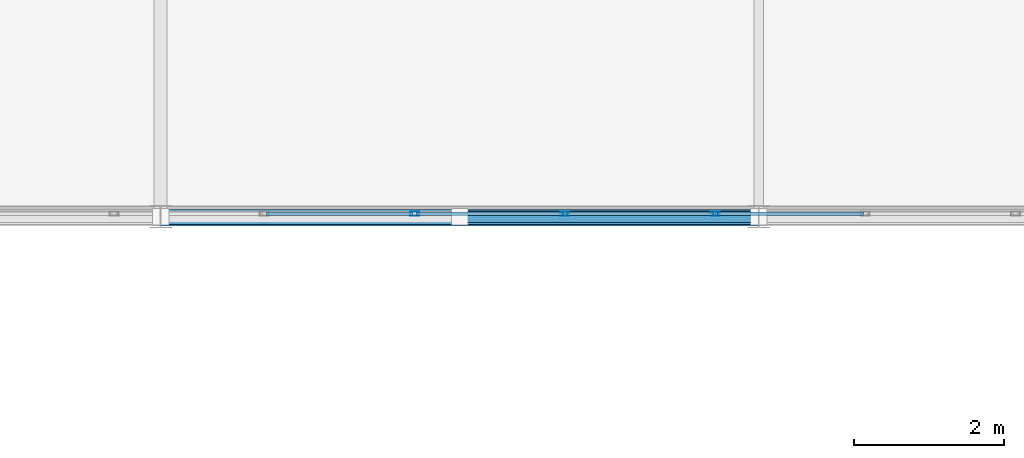
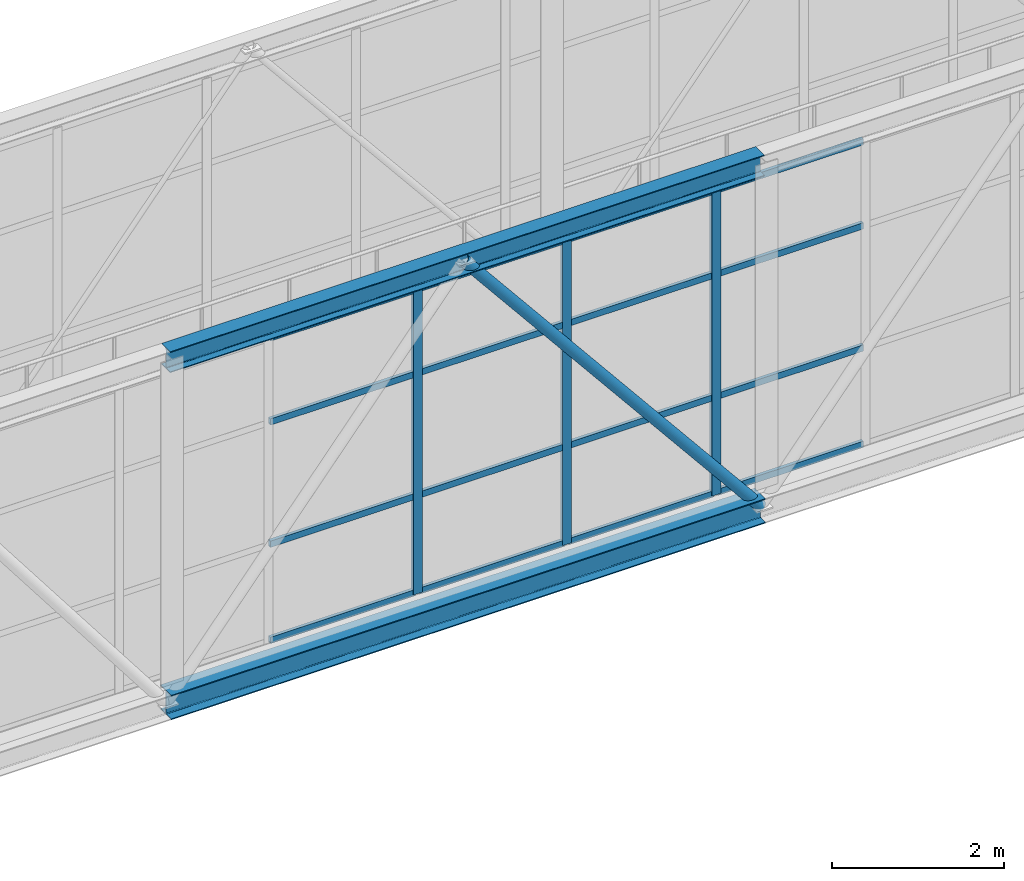
# One storey, part 87 of 248: 22 members, 1 element without a shape of its own.
"""IFC4 building model written with IfcOpenShell, lengths in metres."""

from ifc_helpers import new_model, si_unit, direction, frame, origin, origin_2d, place, context, subcontext, project, spatial, hollow_rectangle, hollow_circle, i_section, extrude, material, layer, layer_set, material_profile, profile_set, type_object, element, aggregate, save


model = new_model("IFC4")

# Units and contexts
model_context = context("Model", 3, precision=1e-05, world=origin(), true_north=direction((0.0, 1.0)))
body_context = subcontext(model_context, "Body", "Model", "MODEL_VIEW")
ifc_project = project(units=[si_unit("LENGTHUNIT", "METRE"), si_unit("AREAUNIT", "SQUARE_METRE"), si_unit("VOLUMEUNIT", "CUBIC_METRE"), si_unit("PLANEANGLEUNIT", "RADIAN"), si_unit("MASSUNIT", "GRAM", prefix="KILO")], contexts=[model_context])

# Site, building, storey
site_placement = place(None, origin())
site = spatial("IfcSite", under=ifc_project, at=site_placement, CompositionType="ELEMENT")
building_placement = place(site_placement, origin())
building = spatial("IfcBuilding", under=site, at=building_placement, Name="Canggui Botanical Conservatory", CompositionType="ELEMENT")
storey_placement = place(building_placement, frame((0.0, 0.0, 5.39990234375)))
storey = spatial("IfcBuildingStorey", under=building, at=storey_placement, Name="L02", CompositionType="ELEMENT", Elevation=5.39990234375)

# Curtain wall, members
ifc_material_1 = material(Name="Thermally Broken Aluminium", Category="aluminium")
ifc_layer = layer(ifc_material_1, 0.1201171875, Name="Thermally Broken Aluminium", Category="aluminium")
ifc_layer_set = layer_set([ifc_layer], Name="Thermally Broken Aluminium")
curtain_wall_type = type_object("IfcCurtainWallType", Name="CW-STICK-B", PredefinedType="USERDEFINED", material=ifc_layer_set)
curtain_wall_placement = place(storey_placement, origin())
curtain_wall = element("IfcCurtainWall", 1, at=curtain_wall_placement, inside=storey, type_object=curtain_wall_type, Name="Facade Curtain Wall CW-SB-01-1", ObjectType="STICK GLAZED WALL", PredefinedType="USERDEFINED")
ifc_material_profile_1 = material_profile(ifc_material_1, hollow_rectangle(XDim=0.054931640625, YDim=0.1201171875, WallThickness=0.0029296875, at=origin_2d()), Name="CWM 55x120x3")
ifc_profile_set_1 = profile_set([ifc_material_profile_1], Name="Thermally Broken Aluminium")
member_type_1 = type_object("IfcMemberType", Name="CWM-05", PredefinedType="MULLION", material=ifc_profile_set_1)
member_1_placement = place(storey_placement, frame((76.8984375, 26.0400390625, 0.0), z_axis=(0.0, 0.0, 1.0), x_axis=(0.0, 1.0, 0.0)))
member_1 = element("IfcMember", 2, at=member_1_placement, type_object=member_type_1, Name="CW-05 mullion 6", PredefinedType="MULLION", context=body_context, shape_type="SweptSolid", body=[
    extrude(hollow_rectangle(XDim=0.054931640625, YDim=0.1201171875, WallThickness=0.0029296875, at=origin_2d()), origin(), (0.0, 0.0, 1.0), 4.35009765625),
])
member_2_placement = place(storey_placement, frame((78.907958984375, 26.0400390625, 0.0), z_axis=(0.0, 0.0, 1.0), x_axis=(0.0, 1.0, 0.0)))
member_2 = element("IfcMember", 3, at=member_2_placement, type_object=member_type_1, Name="CW-05 mullion 7", PredefinedType="MULLION", context=body_context, shape_type="SweptSolid", body=[
    extrude(hollow_rectangle(XDim=0.054931640625, YDim=0.1201171875, WallThickness=0.0029296875, at=origin_2d()), origin(), (0.0, 0.0, 1.0), 4.35009765625),
])
member_3_placement = place(storey_placement, frame((80.917724609375, 26.0400390625, 0.0), z_axis=(0.0, 0.0, 1.0), x_axis=(0.0, 1.0, 0.0)))
member_3 = element("IfcMember", 4, at=member_3_placement, type_object=member_type_1, Name="CW-05 mullion 8", PredefinedType="MULLION", context=body_context, shape_type="SweptSolid", body=[
    extrude(hollow_rectangle(XDim=0.054931640625, YDim=0.1201171875, WallThickness=0.0029296875, at=origin_2d()), origin(), (0.0, 0.0, 1.0), 4.35009765625),
])
ifc_material_profile_2 = material_profile(ifc_material_1, hollow_rectangle(XDim=0.044921875, YDim=0.090087890625, WallThickness=0.0029296875, at=origin_2d()), Name="CWT 45x90x3")
ifc_profile_set_2 = profile_set([ifc_material_profile_2], Name="Thermally Broken Aluminium")
member_type_2 = type_object("IfcMemberType", Name="CWT-05", PredefinedType="USERDEFINED", material=ifc_profile_set_2)
member_4_placement = place(storey_placement, frame((74.916259765625, 26.0400390625, 0.022705078125), z_axis=(1.0, 0.0, 0.0), x_axis=(0.0, 1.0, 0.0)))
member_4 = element("IfcMember", 5, at=member_4_placement, type_object=member_type_2, Name="CW-05 transom 5.1", ObjectType="TRANSOM", PredefinedType="USERDEFINED", context=body_context, shape_type="SweptSolid", body=[
    extrude(hollow_rectangle(XDim=0.044921875, YDim=0.090087890625, WallThickness=0.0029296875, at=origin_2d()), origin(), (0.0, 0.0, 1.0), 1.95458984375),
])
member_5_placement = place(storey_placement, frame((74.916259765625, 26.0400390625, 1.39208984375), z_axis=(1.0, 0.0, 0.0), x_axis=(0.0, 1.0, 0.0)))
member_5 = element("IfcMember", 6, at=member_5_placement, type_object=member_type_2, Name="CW-05 transom 5.2", ObjectType="TRANSOM", PredefinedType="USERDEFINED", context=body_context, shape_type="SweptSolid", body=[
    extrude(hollow_rectangle(XDim=0.044921875, YDim=0.090087890625, WallThickness=0.0029296875, at=origin_2d()), origin(), (0.0, 0.0, 1.0), 1.95458984375),
])
member_6_placement = place(storey_placement, frame((74.916259765625, 26.0400390625, 3.132080078125), z_axis=(1.0, 0.0, 0.0), x_axis=(0.0, 1.0, 0.0)))
member_6 = element("IfcMember", 7, at=member_6_placement, type_object=member_type_2, Name="CW-05 transom 5.3", ObjectType="TRANSOM", PredefinedType="USERDEFINED", context=body_context, shape_type="SweptSolid", body=[
    extrude(hollow_rectangle(XDim=0.044921875, YDim=0.090087890625, WallThickness=0.0029296875, at=origin_2d()), origin(), (0.0, 0.0, 1.0), 1.95458984375),
])
member_7_placement = place(storey_placement, frame((74.916259765625, 26.0400390625, 4.32763671875), z_axis=(1.0, 0.0, 0.0), x_axis=(0.0, 1.0, 0.0)))
member_7 = element("IfcMember", 8, at=member_7_placement, type_object=member_type_2, Name="CW-05 transom 5.4", ObjectType="TRANSOM", PredefinedType="USERDEFINED", context=body_context, shape_type="SweptSolid", body=[
    extrude(hollow_rectangle(XDim=0.044921875, YDim=0.090087890625, WallThickness=0.0029296875, at=origin_2d()), origin(), (0.0, 0.0, 1.0), 1.95458984375),
])
member_8_placement = place(storey_placement, frame((76.92578125, 26.0400390625, 0.022705078125), z_axis=(1.0, 0.0, 0.0), x_axis=(0.0, 1.0, 0.0)))
member_8 = element("IfcMember", 9, at=member_8_placement, type_object=member_type_2, Name="CW-05 transom 6.1", ObjectType="TRANSOM", PredefinedType="USERDEFINED", context=body_context, shape_type="SweptSolid", body=[
    extrude(hollow_rectangle(XDim=0.044921875, YDim=0.090087890625, WallThickness=0.0029296875, at=origin_2d()), origin(), (0.0, 0.0, 1.0), 1.954833984375),
])
member_9_placement = place(storey_placement, frame((76.92578125, 26.0400390625, 1.39208984375), z_axis=(1.0, 0.0, 0.0), x_axis=(0.0, 1.0, 0.0)))
member_9 = element("IfcMember", 10, at=member_9_placement, type_object=member_type_2, Name="CW-05 transom 6.2", ObjectType="TRANSOM", PredefinedType="USERDEFINED", context=body_context, shape_type="SweptSolid", body=[
    extrude(hollow_rectangle(XDim=0.044921875, YDim=0.090087890625, WallThickness=0.0029296875, at=origin_2d()), origin(), (0.0, 0.0, 1.0), 1.954833984375),
])
member_10_placement = place(storey_placement, frame((76.92578125, 26.0400390625, 3.132080078125), z_axis=(1.0, 0.0, 0.0), x_axis=(0.0, 1.0, 0.0)))
member_10 = element("IfcMember", 11, at=member_10_placement, type_object=member_type_2, Name="CW-05 transom 6.3", ObjectType="TRANSOM", PredefinedType="USERDEFINED", context=body_context, shape_type="SweptSolid", body=[
    extrude(hollow_rectangle(XDim=0.044921875, YDim=0.090087890625, WallThickness=0.0029296875, at=origin_2d()), origin(), (0.0, 0.0, 1.0), 1.954833984375),
])
member_11_placement = place(storey_placement, frame((76.92578125, 26.0400390625, 4.32763671875), z_axis=(1.0, 0.0, 0.0), x_axis=(0.0, 1.0, 0.0)))
member_11 = element("IfcMember", 12, at=member_11_placement, type_object=member_type_2, Name="CW-05 transom 6.4", ObjectType="TRANSOM", PredefinedType="USERDEFINED", context=body_context, shape_type="SweptSolid", body=[
    extrude(hollow_rectangle(XDim=0.044921875, YDim=0.090087890625, WallThickness=0.0029296875, at=origin_2d()), origin(), (0.0, 0.0, 1.0), 1.954833984375),
])
member_12_placement = place(storey_placement, frame((78.935546875, 26.0400390625, 0.022705078125), z_axis=(1.0, 0.0, 0.0), x_axis=(0.0, 1.0, 0.0)))
member_12 = element("IfcMember", 13, at=member_12_placement, type_object=member_type_2, Name="CW-05 transom 7.1", ObjectType="TRANSOM", PredefinedType="USERDEFINED", context=body_context, shape_type="SweptSolid", body=[
    extrude(hollow_rectangle(XDim=0.044921875, YDim=0.090087890625, WallThickness=0.0029296875, at=origin_2d()), origin(), (0.0, 0.0, 1.0), 1.95458984375),
])
member_13_placement = place(storey_placement, frame((78.935546875, 26.0400390625, 1.39208984375), z_axis=(1.0, 0.0, 0.0), x_axis=(0.0, 1.0, 0.0)))
member_13 = element("IfcMember", 14, at=member_13_placement, type_object=member_type_2, Name="CW-05 transom 7.2", ObjectType="TRANSOM", PredefinedType="USERDEFINED", context=body_context, shape_type="SweptSolid", body=[
    extrude(hollow_rectangle(XDim=0.044921875, YDim=0.090087890625, WallThickness=0.0029296875, at=origin_2d()), origin(), (0.0, 0.0, 1.0), 1.95458984375),
])
member_14_placement = place(storey_placement, frame((78.935546875, 26.0400390625, 3.132080078125), z_axis=(1.0, 0.0, 0.0), x_axis=(0.0, 1.0, 0.0)))
member_14 = element("IfcMember", 15, at=member_14_placement, type_object=member_type_2, Name="CW-05 transom 7.3", ObjectType="TRANSOM", PredefinedType="USERDEFINED", context=body_context, shape_type="SweptSolid", body=[
    extrude(hollow_rectangle(XDim=0.044921875, YDim=0.090087890625, WallThickness=0.0029296875, at=origin_2d()), origin(), (0.0, 0.0, 1.0), 1.95458984375),
])
member_15_placement = place(storey_placement, frame((78.935546875, 26.0400390625, 4.32763671875), z_axis=(1.0, 0.0, 0.0), x_axis=(0.0, 1.0, 0.0)))
member_15 = element("IfcMember", 16, at=member_15_placement, type_object=member_type_2, Name="CW-05 transom 7.4", ObjectType="TRANSOM", PredefinedType="USERDEFINED", context=body_context, shape_type="SweptSolid", body=[
    extrude(hollow_rectangle(XDim=0.044921875, YDim=0.090087890625, WallThickness=0.0029296875, at=origin_2d()), origin(), (0.0, 0.0, 1.0), 1.95458984375),
])
member_16_placement = place(storey_placement, frame((80.9453125, 26.0400390625, 0.022705078125), z_axis=(1.0, 0.0, 0.0), x_axis=(0.0, 1.0, 0.0)))
member_16 = element("IfcMember", 17, at=member_16_placement, type_object=member_type_2, Name="CW-05 transom 8.1", ObjectType="TRANSOM", PredefinedType="USERDEFINED", context=body_context, shape_type="SweptSolid", body=[
    extrude(hollow_rectangle(XDim=0.044921875, YDim=0.090087890625, WallThickness=0.0029296875, at=origin_2d()), origin(), (0.0, 0.0, 1.0), 1.95458984375),
])
member_17_placement = place(storey_placement, frame((80.9453125, 26.0400390625, 1.39208984375), z_axis=(1.0, 0.0, 0.0), x_axis=(0.0, 1.0, 0.0)))
member_17 = element("IfcMember", 18, at=member_17_placement, type_object=member_type_2, Name="CW-05 transom 8.2", ObjectType="TRANSOM", PredefinedType="USERDEFINED", context=body_context, shape_type="SweptSolid", body=[
    extrude(hollow_rectangle(XDim=0.044921875, YDim=0.090087890625, WallThickness=0.0029296875, at=origin_2d()), origin(), (0.0, 0.0, 1.0), 1.95458984375),
])
member_18_placement = place(storey_placement, frame((80.9453125, 26.0400390625, 3.132080078125), z_axis=(1.0, 0.0, 0.0), x_axis=(0.0, 1.0, 0.0)))
member_18 = element("IfcMember", 19, at=member_18_placement, type_object=member_type_2, Name="CW-05 transom 8.3", ObjectType="TRANSOM", PredefinedType="USERDEFINED", context=body_context, shape_type="SweptSolid", body=[
    extrude(hollow_rectangle(XDim=0.044921875, YDim=0.090087890625, WallThickness=0.0029296875, at=origin_2d()), origin(), (0.0, 0.0, 1.0), 1.95458984375),
])
member_19_placement = place(storey_placement, frame((80.9453125, 26.0400390625, 4.32763671875), z_axis=(1.0, 0.0, 0.0), x_axis=(0.0, 1.0, 0.0)))
member_19 = element("IfcMember", 20, at=member_19_placement, type_object=member_type_2, Name="CW-05 transom 8.4", ObjectType="TRANSOM", PredefinedType="USERDEFINED", context=body_context, shape_type="SweptSolid", body=[
    extrude(hollow_rectangle(XDim=0.044921875, YDim=0.090087890625, WallThickness=0.0029296875, at=origin_2d()), origin(), (0.0, 0.0, 1.0), 1.95458984375),
])
aggregate(curtain_wall, [member_1, member_2, member_3, member_4, member_5, member_6, member_7, member_8, member_9, member_10, member_11, member_12, member_13, member_14, member_15, member_16, member_17, member_18, member_19])

# Members
ifc_material_2 = material(Name="Steel Q355C", Category="steel")
ifc_material_profile_3 = material_profile(ifc_material_2, hollow_circle(Radius=0.075927734375, WallThickness=0.006103515625, at=origin_2d()), Name="CHS 152x6")
ifc_profile_set_3 = profile_set([ifc_material_profile_3], Name="Steel Q355C")
member_type_3 = type_object("IfcMemberType", Name="MEM-GSD04", PredefinedType="RAFTER", material=ifc_profile_set_3)
member_20_placement = place(storey_placement, frame((77.5, 26.0, 4.550048828125), z_axis=(0.632384053133, 0.0, -0.774655026024), x_axis=(0.0, 1.0, 0.0)))
element("IfcMember", 21, at=member_20_placement, inside=storey, type_object=member_type_3, Name="SB-01 Truss Web Rafter 1.2B", PredefinedType="RAFTER", context=body_context, shape_type="SweptSolid", body=[
    extrude(hollow_circle(Radius=0.075927734375, WallThickness=0.006103515625, at=origin_2d()), origin(), (0.0, 0.0, 1.0), 6.3251953125),
])
ifc_material_3 = material(Name="Steel Q355B", Category="steel")
ifc_material_profile_4 = material_profile(ifc_material_3, i_section(OverallWidth=0.25, OverallDepth=0.35009765625, WebThickness=0.009033203125, FlangeThickness=0.013916015625, FilletRadius=0.02001953125, at=origin_2d()), Name="HM 350x250x9x14")
ifc_profile_set_4 = profile_set([ifc_material_profile_4], Name="Steel Q355B")
member_type_4 = type_object("IfcMemberType", Name="MEM-TC03", PredefinedType="CHORD", material=ifc_profile_set_4)
member_21_placement = place(storey_placement, frame((73.5, 26.0, -0.349853515625), z_axis=(1.0, 0.0, 0.0), x_axis=(0.0, 1.0, 0.0)))
element("IfcMember", 22, at=member_21_placement, inside=storey, type_object=member_type_4, Name="SB-01 Deck Truss Bottom Chord 1.2", PredefinedType="CHORD", context=body_context, shape_type="SweptSolid", body=[
    extrude(i_section(OverallWidth=0.25, OverallDepth=0.35009765625, WebThickness=0.009033203125, FlangeThickness=0.013916015625, FilletRadius=0.02001953125, at=origin_2d()), origin(), (0.0, 0.0, 1.0), 8.0),
])
ifc_material_profile_5 = material_profile(ifc_material_3, i_section(OverallWidth=0.199951171875, OverallDepth=0.300048828125, WebThickness=0.008056640625, FlangeThickness=0.011962890625, FilletRadius=0.01806640625, at=origin_2d()), Name="HM 300x200x8x12")
ifc_profile_set_5 = profile_set([ifc_material_profile_5], Name="Steel Q355B")
member_type_5 = type_object("IfcMemberType", Name="MEM-TC04", PredefinedType="CHORD", material=ifc_profile_set_5)
member_22_placement = place(storey_placement, frame((73.5, 26.0, 4.550048828125), z_axis=(1.0, 0.0, 0.0), x_axis=(0.0, 1.0, 0.0)))
element("IfcMember", 23, at=member_22_placement, inside=storey, type_object=member_type_5, Name="SB-01 Roof Truss Top Chord 1.2", PredefinedType="CHORD", context=body_context, shape_type="SweptSolid", body=[
    extrude(i_section(OverallWidth=0.199951171875, OverallDepth=0.300048828125, WebThickness=0.008056640625, FlangeThickness=0.011962890625, FilletRadius=0.01806640625, at=origin_2d()), origin(), (0.0, 0.0, 1.0), 8.0),
])

save(model, "model.ifc")
